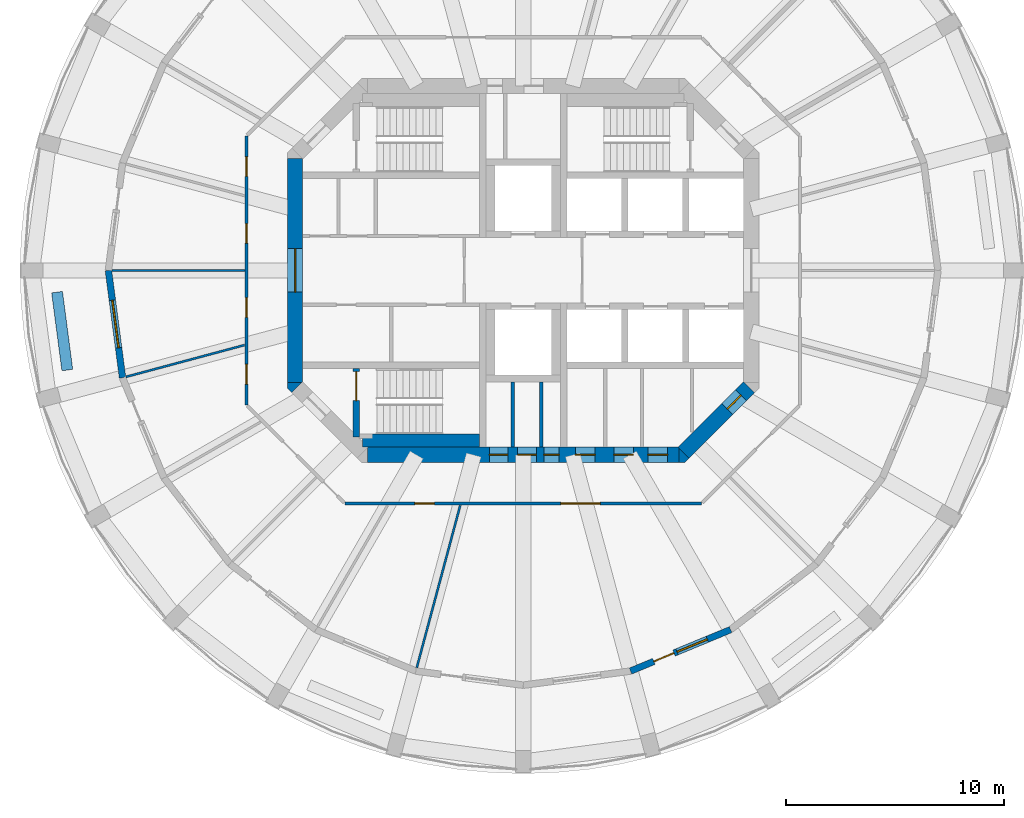
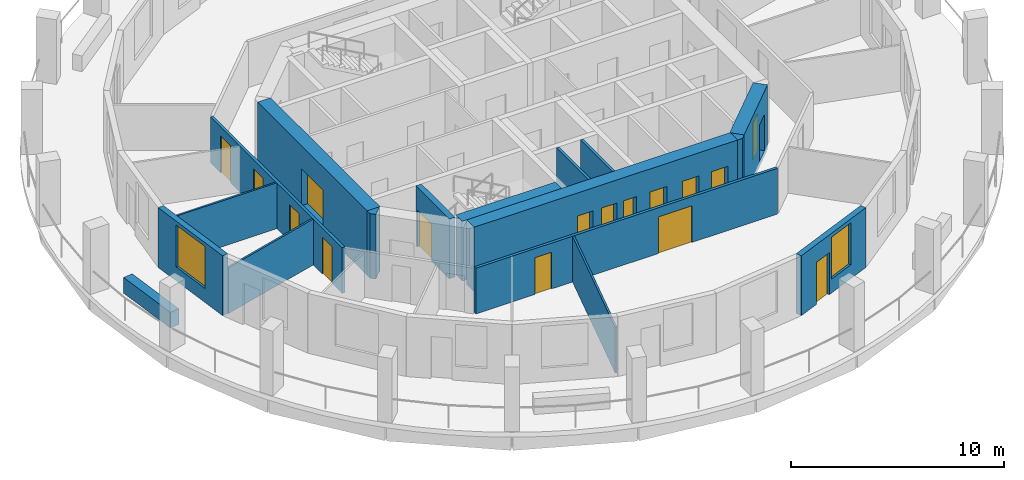
# One storey, part 3 of 9: 17 walls, 16 doors, 2 windows, 18 openings.
"""IFC4 building model written with IfcOpenShell, lengths in metres."""

from ifc_helpers import new_model, si_unit, direction, frame, frame_2d, origin, place, context, subcontext, project, spatial, polyline, rectangle, outline, extrude, material, layer, layer_set, type_object, element, fill, save


model = new_model("IFC4")

# Units and contexts
model_context = context("Model", 3, precision=1e-05, world=origin(), true_north=direction((0.0, 1.0)))
body_context = subcontext(model_context, "Body", "Model", "MODEL_VIEW")
ifc_project = project(units=[si_unit("LENGTHUNIT", "METRE"), si_unit("AREAUNIT", "SQUARE_METRE"), si_unit("VOLUMEUNIT", "CUBIC_METRE"), si_unit("PLANEANGLEUNIT", "RADIAN"), si_unit("MASSUNIT", "GRAM", prefix="KILO")], contexts=[model_context])

# Site, building, storey
site_placement = place(None, origin())
site = spatial("IfcSite", under=ifc_project, at=site_placement, CompositionType="ELEMENT")
building_placement = place(site_placement, origin())
building = spatial("IfcBuilding", under=site, at=building_placement, Name="Torre Triforio", CompositionType="ELEMENT")
storey_placement = place(building_placement, frame((0.0, 0.0, 172.699951171875)))
storey = spatial("IfcBuildingStorey", under=building, at=storey_placement, Name="L39", CompositionType="ELEMENT", Elevation=172.699951171875)

# Wall, openings, doors
ifc_material_1 = material(Name="Concrete C50", Category="concrete")
ifc_layer_1 = layer(ifc_material_1, 0.699951171875)
ifc_layer_set_1 = layer_set([ifc_layer_1], Name="Concrete C50")
wall_type_1 = type_object("IfcWallType", Name="Core wall 700 mm C50 EI 120", PredefinedType="SHEAR", material=ifc_layer_set_1)
wall_1_placement = place(storey_placement, frame((-7.1298828125, -8.449951171875, -0.280029296875), z_axis=(0.0, 0.0, 1.0), x_axis=(1.0, 0.0, 0.0)))
wall_1 = element("IfcWall", 1, at=wall_1_placement, inside=storey, type_object=wall_type_1, Name="Core wall", PredefinedType="SHEAR", context=body_context, shape_type="SweptSolid", body=[
    extrude(rectangle(XDim=14.259765625, YDim=0.699951171875, at=frame_2d((7.1298828125, 0.0))), origin(), (0.0, 0.0, 1.0), 3.7001953125),
])
opening_1_placement = place(wall_1_placement, frame((8.080078125, 0.0, 0.280029296875)))
opening_1 = element("IfcOpeningElement", 2, at=opening_1_placement, cuts=wall_1, Name="Opening RISER-S", PredefinedType="OPENING", context=body_context, shape_type="SweptSolid", body=[
    extrude(rectangle(XDim=0.699951171875, YDim=2.10009765625, at=frame_2d((0.35009765625, 1.050048828125))), frame((0.0, 0.35986328125, 0.0), z_axis=(0.0, -1.0, 0.0), x_axis=(1.0, 0.0, 0.0)), (0.0, 0.0, 1.0), 0.719970703125),
])
opening_2_placement = place(wall_1_placement, frame((5.580078125, 0.0, 0.280029296875)))
opening_2 = element("IfcOpeningElement", 3, at=opening_2_placement, cuts=wall_1, Name="Opening SW-01A", PredefinedType="OPENING", context=body_context, shape_type="SweptSolid", body=[
    extrude(rectangle(XDim=0.85009765625, YDim=2.10009765625, at=frame_2d((0.425048828125, 1.050048828125))), frame((0.0, 0.35986328125, 0.0), z_axis=(0.0, -1.0, 0.0), x_axis=(1.0, 0.0, 0.0)), (0.0, 0.0, 1.0), 0.719970703125),
])
opening_3_placement = place(wall_1_placement, frame((6.8798828125, 0.0, 0.280029296875)))
opening_3 = element("IfcOpeningElement", 4, at=opening_3_placement, cuts=wall_1, Name="Opening SW-02", PredefinedType="OPENING", context=body_context, shape_type="SweptSolid", body=[
    extrude(rectangle(XDim=0.85009765625, YDim=2.10009765625, at=frame_2d((0.425048828125, 1.050048828125))), frame((0.0, 0.35986328125, 0.0), z_axis=(0.0, -1.0, 0.0), x_axis=(1.0, 0.0, 0.0)), (0.0, 0.0, 1.0), 0.719970703125),
])
opening_4_placement = place(wall_1_placement, frame((9.521484375, 0.0, 0.280029296875)))
opening_4 = element("IfcOpeningElement", 5, at=opening_4_placement, cuts=wall_1, Name="Opening SE-01", PredefinedType="OPENING", context=body_context, shape_type="SweptSolid", body=[
    extrude(rectangle(XDim=0.89990234375, YDim=2.10009765625, at=frame_2d((0.449951171875, 1.050048828125))), frame((0.0, 0.35986328125, 0.0), z_axis=(0.0, -1.0, 0.0), x_axis=(1.0, 0.0, 0.0)), (0.0, 0.0, 1.0), 0.719970703125),
])
opening_5_placement = place(wall_1_placement, frame((11.278076171875, 0.0, 0.280029296875)))
opening_5 = element("IfcOpeningElement", 6, at=opening_5_placement, cuts=wall_1, Name="Opening SE-02", PredefinedType="OPENING", context=body_context, shape_type="SweptSolid", body=[
    extrude(rectangle(XDim=0.89990234375, YDim=2.10009765625, at=frame_2d((0.449951171875, 1.050048828125))), frame((0.0, 0.35986328125, 0.0), z_axis=(0.0, -1.0, 0.0), x_axis=(1.0, 0.0, 0.0)), (0.0, 0.0, 1.0), 0.719970703125),
])
opening_6_placement = place(wall_1_placement, frame((12.840087890625, 0.0, 0.280029296875)))
opening_6 = element("IfcOpeningElement", 7, at=opening_6_placement, cuts=wall_1, Name="Opening SE-03", PredefinedType="OPENING", context=body_context, shape_type="SweptSolid", body=[
    extrude(rectangle(XDim=0.89990234375, YDim=2.10009765625, at=frame_2d((0.449951171875, 1.050048828125))), frame((0.0, 0.35986328125, 0.0), z_axis=(0.0, -1.0, 0.0), x_axis=(1.0, 0.0, 0.0)), (0.0, 0.0, 1.0), 0.719970703125),
])
ifc_material_2 = material(Name="Hollow metal fire door leaf")
door_type_1 = type_object("IfcDoorType", Name="Plant room door 900 x 2100 EI 60", OperationType="NOTDEFINED", PredefinedType="DOOR", material=ifc_material_2)
door_1_placement = place(opening_4_placement, origin())
door_1 = element("IfcDoor", 8, at=door_1_placement, inside=storey, type_object=door_type_1, Name="Core door SE-01", OperationType="SINGLE_SWING_LEFT", OverallHeight=2.10009765625, OverallWidth=0.89990234375, PredefinedType="DOOR", context=body_context, shape_type="SweptSolid", body=[
    extrude(rectangle(XDim=0.89990234375, YDim=2.10009765625, at=frame_2d((0.449951171875, 1.050048828125))), frame((0.0, 0.02490234375, 0.0), z_axis=(0.0, -1.0, 0.0), x_axis=(1.0, 0.0, 0.0)), (0.0, 0.0, 1.0), 0.050048828125),
])
fill(opening_4, door_1)
door_type_2 = type_object("IfcDoorType", Name="Riser door 700 x 2100 EI 60", OperationType="NOTDEFINED", PredefinedType="DOOR", material=ifc_material_2)
door_2_placement = place(opening_1_placement, origin())
door_2 = element("IfcDoor", 9, at=door_2_placement, inside=storey, type_object=door_type_2, Name="Core door RISER-S", OperationType="SINGLE_SWING_RIGHT", OverallHeight=2.10009765625, OverallWidth=0.699951171875, PredefinedType="DOOR", context=body_context, shape_type="SweptSolid", body=[
    extrude(rectangle(XDim=0.699951171875, YDim=2.10009765625, at=frame_2d((0.35009765625, 1.050048828125))), frame((0.0, 0.02490234375, 0.0), z_axis=(0.0, -1.0, 0.0), x_axis=(1.0, 0.0, 0.0)), (0.0, 0.0, 1.0), 0.050048828125),
])
fill(opening_1, door_2)
door_type_3 = type_object("IfcDoorType", Name="Room door 850 x 2100 EI 60", OperationType="NOTDEFINED", PredefinedType="DOOR", material=ifc_material_2)
door_3_placement = place(opening_2_placement, origin())
door_3 = element("IfcDoor", 10, at=door_3_placement, inside=storey, type_object=door_type_3, Name="Core door SW-01", OperationType="SINGLE_SWING_RIGHT", OverallHeight=2.10009765625, OverallWidth=0.85009765625, PredefinedType="DOOR", context=body_context, shape_type="SweptSolid", body=[
    extrude(rectangle(XDim=0.85009765625, YDim=2.10009765625, at=frame_2d((0.425048828125, 1.050048828125))), frame((0.0, 0.02490234375, 0.0), z_axis=(0.0, -1.0, 0.0), x_axis=(1.0, 0.0, 0.0)), (0.0, 0.0, 1.0), 0.050048828125),
])
fill(opening_2, door_3)
door_4_placement = place(opening_3_placement, origin())
door_4 = element("IfcDoor", 11, at=door_4_placement, inside=storey, type_object=door_type_3, Name="Core door SW-02", OperationType="SINGLE_SWING_LEFT", OverallHeight=2.10009765625, OverallWidth=0.85009765625, PredefinedType="DOOR", context=body_context, shape_type="SweptSolid", body=[
    extrude(rectangle(XDim=0.85009765625, YDim=2.10009765625, at=frame_2d((0.425048828125, 1.050048828125))), frame((0.0, 0.02490234375, 0.0), z_axis=(0.0, -1.0, 0.0), x_axis=(1.0, 0.0, 0.0)), (0.0, 0.0, 1.0), 0.050048828125),
])
fill(opening_3, door_4)
door_type_4 = type_object("IfcDoorType", Name="Room door 900 x 2100 EI 60", OperationType="NOTDEFINED", PredefinedType="DOOR", material=ifc_material_2)
door_5_placement = place(opening_5_placement, origin())
door_5 = element("IfcDoor", 12, at=door_5_placement, inside=storey, type_object=door_type_4, Name="Core door SE-02", OperationType="SINGLE_SWING_LEFT", OverallHeight=2.10009765625, OverallWidth=0.89990234375, PredefinedType="DOOR", context=body_context, shape_type="SweptSolid", body=[
    extrude(rectangle(XDim=0.89990234375, YDim=2.10009765625, at=frame_2d((0.449951171875, 1.050048828125))), frame((0.0, 0.02490234375, 0.0), z_axis=(0.0, -1.0, 0.0), x_axis=(1.0, 0.0, 0.0)), (0.0, 0.0, 1.0), 0.050048828125),
])
fill(opening_5, door_5)
door_6_placement = place(opening_6_placement, origin())
door_6 = element("IfcDoor", 13, at=door_6_placement, inside=storey, type_object=door_type_4, Name="Core door SE-03", OperationType="SINGLE_SWING_LEFT", OverallHeight=2.10009765625, OverallWidth=0.89990234375, PredefinedType="DOOR", context=body_context, shape_type="SweptSolid", body=[
    extrude(rectangle(XDim=0.89990234375, YDim=2.10009765625, at=frame_2d((0.449951171875, 1.050048828125))), frame((0.0, 0.02490234375, 0.0), z_axis=(0.0, -1.0, 0.0), x_axis=(1.0, 0.0, 0.0)), (0.0, 0.0, 1.0), 0.050048828125),
])
fill(opening_6, door_6)

# Wall, opening, door
wall_2_placement = place(storey_placement, frame((-10.449951171875, -5.1298828125, -0.280029296875), z_axis=(0.0, 0.0, 1.0), x_axis=(0.0, 1.0, 0.0)))
wall_2 = element("IfcWall", 14, at=wall_2_placement, inside=storey, type_object=wall_type_1, Name="Core wall", PredefinedType="SHEAR", context=body_context, shape_type="SweptSolid", body=[
    extrude(rectangle(XDim=10.259765625, YDim=0.699951171875, at=frame_2d((5.1298828125, 0.0))), origin(), (0.0, 0.0, 1.0), 3.7001953125),
])
opening_7_placement = place(wall_2_placement, frame((4.1298828125, 0.0, 0.280029296875)))
opening_7 = element("IfcOpeningElement", 15, at=opening_7_placement, cuts=wall_2, Name="Opening W-RING", PredefinedType="OPENING", context=body_context, shape_type="SweptSolid", body=[
    extrude(rectangle(XDim=2.0, YDim=2.10009765625, at=frame_2d((1.0, 1.050048828125))), frame((0.0, 0.35986328125, 0.0), z_axis=(0.0, -1.0, 0.0), x_axis=(1.0, 0.0, 0.0)), (0.0, 0.0, 1.0), 0.719970703125),
])
door_type_5 = type_object("IfcDoorType", Name="Lobby door 2000 x 2100 EI 60", OperationType="DOUBLE_DOOR_SINGLE_SWING", PredefinedType="DOOR", material=ifc_material_2)
door_7_placement = place(opening_7_placement, origin())
door_7 = element("IfcDoor", 16, at=door_7_placement, inside=storey, type_object=door_type_5, Name="Core door W-RING", OperationType="DOUBLE_DOOR_SINGLE_SWING", OverallHeight=2.10009765625, OverallWidth=2.0, PredefinedType="DOOR", context=body_context, shape_type="SweptSolid", body=[
    extrude(rectangle(XDim=2.0, YDim=2.10009765625, at=frame_2d((1.0, 1.050048828125))), frame((0.0, 0.02490234375, 0.0), z_axis=(0.0, -1.0, 0.0), x_axis=(1.0, 0.0, 0.0)), (0.0, 0.0, 1.0), 0.050048828125),
])
fill(opening_7, door_7)

wall_3_placement = place(storey_placement, frame((10.347412109375, -5.347412109375, -0.280029296875), z_axis=(0.0, 0.0, 1.0), x_axis=(-0.707106781187, -0.707106781187, 0.0)))
wall_3 = element("IfcWall", 17, at=wall_3_placement, inside=storey, type_object=wall_type_1, Name="Core wall", PredefinedType="SHEAR", context=body_context, shape_type="SweptSolid", body=[
    extrude(rectangle(XDim=4.24267578125, YDim=0.699951171875, at=frame_2d((2.121337890625, 0.0))), origin(), (0.0, 0.0, 1.0), 3.7001953125),
])
opening_8_placement = place(wall_3_placement, frame((0.52001953125, 0.0, 0.280029296875)))
opening_8 = element("IfcOpeningElement", 18, at=opening_8_placement, cuts=wall_3, Name="Opening SE-04", PredefinedType="OPENING", context=body_context, shape_type="SweptSolid", body=[
    extrude(rectangle(XDim=0.89990234375, YDim=2.10009765625, at=frame_2d((0.449951171875, 1.050048828125))), frame((0.0, 0.35986328125, 0.0), z_axis=(0.0, -1.0, 0.0), x_axis=(1.0, 0.0, 0.0)), (0.0, 0.0, 1.0), 0.719970703125),
])
door_8_placement = place(opening_8_placement, origin())
door_8 = element("IfcDoor", 19, at=door_8_placement, inside=storey, type_object=door_type_4, Name="Core door SE-04", OperationType="SINGLE_SWING_RIGHT", OverallHeight=2.10009765625, OverallWidth=0.89990234375, PredefinedType="DOOR", context=body_context, shape_type="SweptSolid", body=[
    extrude(rectangle(XDim=0.89990234375, YDim=2.10009765625, at=frame_2d((0.449951171875, 1.050048828125))), frame((0.0, 0.02490234375, 0.0), z_axis=(0.0, -1.0, 0.0), x_axis=(1.0, 0.0, 0.0)), (0.0, 0.0, 1.0), 0.050048828125),
])
fill(opening_8, door_8)

# Walls
wall_4_placement = place(storey_placement, frame((0.0, 0.0, -0.280029296875)))
element("IfcWall", 20, at=wall_4_placement, inside=storey, type_object=wall_type_1, Name="Core wall", PredefinedType="SHEAR", context=body_context, shape_type="SweptSolid", body=[
    extrude(outline(polyline([(7.389892578125, -8.800048828125), (7.1298828125, -8.800048828125), (7.1298828125, -8.800048828125), (7.1298828125, -8.1298828125), (7.594970703125, -8.594970703125), (7.594970703125, -8.594970703125), (7.594970703125, -8.594970703125), (7.389892578125, -8.800048828125)])), origin(), (0.0, 0.0, 1.0), 3.7001953125),
])
wall_5_placement = place(storey_placement, frame((0.0, 0.0, -0.280029296875)))
element("IfcWall", 21, at=wall_5_placement, inside=storey, type_object=wall_type_1, Name="Core wall", PredefinedType="SHEAR", context=body_context, shape_type="SweptSolid", body=[
    extrude(outline(polyline([(-10.800048828125, -5.389892578125), (-10.800048828125, -5.1298828125), (-10.800048828125, -5.1298828125), (-10.1298828125, -5.1298828125), (-10.594970703125, -5.594970703125), (-10.594970703125, -5.594970703125), (-10.594970703125, -5.594970703125), (-10.800048828125, -5.389892578125)])), origin(), (0.0, 0.0, 1.0), 3.7001953125),
])

# Wall, openings, doors
ifc_material_3 = material(Name="Plasterboard on metal studs")
ifc_layer_2 = layer(ifc_material_3, 0.14990234375)
ifc_layer_set_2 = layer_set([ifc_layer_2], Name="Plasterboard on metal studs")
wall_type_2 = type_object("IfcWallType", Name="Corridor and tenancy wall 150 mm EI 60", PredefinedType="PARTITIONING", material=ifc_layer_set_2)
wall_6_placement = place(storey_placement, frame((8.16650390625, -10.675048828125, 0.0), z_axis=(0.0, 0.0, 1.0), x_axis=(-1.0, 0.0, 0.0)))
wall_6 = element("IfcWall", 22, at=wall_6_placement, inside=storey, type_object=wall_type_2, Name="Partition 2", PredefinedType="PARTITIONING", context=body_context, shape_type="SweptSolid", body=[
    extrude(rectangle(XDim=16.3330078125, YDim=0.14990234375, at=frame_2d((8.16650390625, 0.0))), origin(), (0.0, 0.0, 1.0), 2.6201171875),
])
opening_9_placement = place(wall_6_placement, frame((12.232421875, 0.0, 0.0)))
opening_9 = element("IfcOpeningElement", 23, at=opening_9_placement, cuts=wall_6, Name="Opening O2-08", PredefinedType="OPENING", context=body_context, shape_type="SweptSolid", body=[
    extrude(rectangle(XDim=0.89990234375, YDim=2.10009765625, at=frame_2d((0.449951171875, 1.050048828125))), frame((0.0, 0.0849609375, 0.0), z_axis=(0.0, -1.0, 0.0), x_axis=(1.0, 0.0, 0.0)), (0.0, 0.0, 1.0), 0.169921875),
])
opening_10_placement = place(wall_6_placement, frame((4.639404296875, 0.0, 0.0)))
opening_10 = element("IfcOpeningElement", 24, at=opening_10_placement, cuts=wall_6, Name="Opening O2-09", PredefinedType="OPENING", context=body_context, shape_type="SweptSolid", body=[
    extrude(rectangle(XDim=1.800048828125, YDim=2.10009765625, at=frame_2d((0.89990234375, 1.050048828125))), frame((0.0, 0.0849609375, 0.0), z_axis=(0.0, -1.0, 0.0), x_axis=(1.0, 0.0, 0.0)), (0.0, 0.0, 1.0), 0.169921875),
])
ifc_material_4 = material(Name="Timber", Category="wood")
door_type_6 = type_object("IfcDoorType", Name="Door 1800 x 2100 double leaf EI 30", OperationType="DOUBLE_DOOR_SINGLE_SWING", PredefinedType="DOOR", material=ifc_material_4)
door_9_placement = place(opening_10_placement, origin())
door_9 = element("IfcDoor", 25, at=door_9_placement, inside=storey, type_object=door_type_6, Name="Door O2-09", OperationType="DOUBLE_DOOR_SINGLE_SWING", OverallHeight=2.10009765625, OverallWidth=1.800048828125, PredefinedType="DOOR", context=body_context, shape_type="SweptSolid", body=[
    extrude(rectangle(XDim=1.800048828125, YDim=2.10009765625, at=frame_2d((0.89990234375, 1.050048828125))), frame((0.0, 0.02490234375, 0.0), z_axis=(0.0, -1.0, 0.0), x_axis=(1.0, 0.0, 0.0)), (0.0, 0.0, 1.0), 0.050048828125),
])
fill(opening_10, door_9)
door_type_7 = type_object("IfcDoorType", Name="Door 900 x 2100 single leaf EI 30", OperationType="NOTDEFINED", PredefinedType="DOOR", material=ifc_material_4)
door_10_placement = place(opening_9_placement, origin())
door_10 = element("IfcDoor", 26, at=door_10_placement, inside=storey, type_object=door_type_7, Name="Door O2-08", OperationType="SINGLE_SWING_LEFT", OverallHeight=2.10009765625, OverallWidth=0.89990234375, PredefinedType="DOOR", context=body_context, shape_type="SweptSolid", body=[
    extrude(rectangle(XDim=0.89990234375, YDim=2.10009765625, at=frame_2d((0.449951171875, 1.050048828125))), frame((0.0, 0.02490234375, 0.0), z_axis=(0.0, -1.0, 0.0), x_axis=(1.0, 0.0, 0.0)), (0.0, 0.0, 1.0), 0.050048828125),
])
fill(opening_9, door_10)

wall_7_placement = place(storey_placement, frame((-12.675048828125, -6.16650390625, 0.0), z_axis=(0.0, 0.0, 1.0), x_axis=(0.0, 1.0, 0.0)))
wall_7 = element("IfcWall", 27, at=wall_7_placement, inside=storey, type_object=wall_type_2, Name="Partition 4", PredefinedType="PARTITIONING", context=body_context, shape_type="SweptSolid", body=[
    extrude(rectangle(XDim=12.3330078125, YDim=0.14990234375, at=frame_2d((6.16650390625, 0.0))), origin(), (0.0, 0.0, 1.0), 2.6201171875),
])
opening_11_placement = place(wall_7_placement, frame((10.47314453125, 0.0, 0.0)))
opening_11 = element("IfcOpeningElement", 28, at=opening_11_placement, cuts=wall_7, Name="Opening O2-02", PredefinedType="OPENING", context=body_context, shape_type="SweptSolid", body=[
    extrude(rectangle(XDim=0.89990234375, YDim=2.10009765625, at=frame_2d((0.449951171875, 1.050048828125))), frame((0.0, 0.0849609375, 0.0), z_axis=(0.0, -1.0, 0.0), x_axis=(1.0, 0.0, 0.0)), (0.0, 0.0, 1.0), 0.169921875),
])
opening_12_placement = place(wall_7_placement, frame((7.41552734375, 0.0, 0.0)))
opening_12 = element("IfcOpeningElement", 29, at=opening_12_placement, cuts=wall_7, Name="Opening O2-03", PredefinedType="OPENING", context=body_context, shape_type="SweptSolid", body=[
    extrude(rectangle(XDim=0.89990234375, YDim=2.10009765625, at=frame_2d((0.449951171875, 1.050048828125))), frame((0.0, 0.0849609375, 0.0), z_axis=(0.0, -1.0, 0.0), x_axis=(1.0, 0.0, 0.0)), (0.0, 0.0, 1.0), 0.169921875),
])
opening_13_placement = place(wall_7_placement, frame((4.017578125, 0.0, 0.0)))
opening_13 = element("IfcOpeningElement", 30, at=opening_13_placement, cuts=wall_7, Name="Opening O2-04", PredefinedType="OPENING", context=body_context, shape_type="SweptSolid", body=[
    extrude(rectangle(XDim=0.89990234375, YDim=2.10009765625, at=frame_2d((0.449951171875, 1.050048828125))), frame((0.0, 0.0849609375, 0.0), z_axis=(0.0, -1.0, 0.0), x_axis=(1.0, 0.0, 0.0)), (0.0, 0.0, 1.0), 0.169921875),
])
opening_14_placement = place(wall_7_placement, frame((0.960205078125, 0.0, 0.0)))
opening_14 = element("IfcOpeningElement", 31, at=opening_14_placement, cuts=wall_7, Name="Opening O2-05", PredefinedType="OPENING", context=body_context, shape_type="SweptSolid", body=[
    extrude(rectangle(XDim=0.89990234375, YDim=2.10009765625, at=frame_2d((0.449951171875, 1.050048828125))), frame((0.0, 0.0849609375, 0.0), z_axis=(0.0, -1.0, 0.0), x_axis=(1.0, 0.0, 0.0)), (0.0, 0.0, 1.0), 0.169921875),
])
door_11_placement = place(opening_11_placement, origin())
door_11 = element("IfcDoor", 32, at=door_11_placement, inside=storey, type_object=door_type_7, Name="Door O2-02", OperationType="SINGLE_SWING_LEFT", OverallHeight=2.10009765625, OverallWidth=0.89990234375, PredefinedType="DOOR", context=body_context, shape_type="SweptSolid", body=[
    extrude(rectangle(XDim=0.89990234375, YDim=2.10009765625, at=frame_2d((0.449951171875, 1.050048828125))), frame((0.0, 0.02490234375, 0.0), z_axis=(0.0, -1.0, 0.0), x_axis=(1.0, 0.0, 0.0)), (0.0, 0.0, 1.0), 0.050048828125),
])
fill(opening_11, door_11)
door_12_placement = place(opening_12_placement, origin())
door_12 = element("IfcDoor", 33, at=door_12_placement, inside=storey, type_object=door_type_7, Name="Door O2-03", OperationType="SINGLE_SWING_LEFT", OverallHeight=2.10009765625, OverallWidth=0.89990234375, PredefinedType="DOOR", context=body_context, shape_type="SweptSolid", body=[
    extrude(rectangle(XDim=0.89990234375, YDim=2.10009765625, at=frame_2d((0.449951171875, 1.050048828125))), frame((0.0, 0.02490234375, 0.0), z_axis=(0.0, -1.0, 0.0), x_axis=(1.0, 0.0, 0.0)), (0.0, 0.0, 1.0), 0.050048828125),
])
fill(opening_12, door_12)
door_13_placement = place(opening_13_placement, origin())
door_13 = element("IfcDoor", 34, at=door_13_placement, inside=storey, type_object=door_type_7, Name="Door O2-04", OperationType="SINGLE_SWING_LEFT", OverallHeight=2.10009765625, OverallWidth=0.89990234375, PredefinedType="DOOR", context=body_context, shape_type="SweptSolid", body=[
    extrude(rectangle(XDim=0.89990234375, YDim=2.10009765625, at=frame_2d((0.449951171875, 1.050048828125))), frame((0.0, 0.02490234375, 0.0), z_axis=(0.0, -1.0, 0.0), x_axis=(1.0, 0.0, 0.0)), (0.0, 0.0, 1.0), 0.050048828125),
])
fill(opening_13, door_13)
door_14_placement = place(opening_14_placement, origin())
door_14 = element("IfcDoor", 35, at=door_14_placement, inside=storey, type_object=door_type_7, Name="Door O2-05", OperationType="SINGLE_SWING_LEFT", OverallHeight=2.10009765625, OverallWidth=0.89990234375, PredefinedType="DOOR", context=body_context, shape_type="SweptSolid", body=[
    extrude(rectangle(XDim=0.89990234375, YDim=2.10009765625, at=frame_2d((0.449951171875, 1.050048828125))), frame((0.0, 0.02490234375, 0.0), z_axis=(0.0, -1.0, 0.0), x_axis=(1.0, 0.0, 0.0)), (0.0, 0.0, 1.0), 0.050048828125),
])
fill(opening_14, door_14)

# Walls
ifc_layer_3 = layer(ifc_material_3, 0.10009765625)
ifc_layer_set_3 = layer_set([ifc_layer_3], Name="Plasterboard on metal studs")
wall_type_3 = type_object("IfcWallType", Name="Partition 100 mm board on metal studs", PredefinedType="PARTITIONING", material=ifc_layer_set_3)
wall_8_placement = place(storey_placement, frame((-12.75, 0.0, 0.0), z_axis=(0.0, 0.0, 1.0), x_axis=(-1.0, 0.0, 0.0)))
element("IfcWall", 36, at=wall_8_placement, inside=storey, type_object=wall_type_3, Name="Partition 19", PredefinedType="PARTITIONING", context=body_context, shape_type="SweptSolid", body=[
    extrude(rectangle(XDim=6.086669921875, YDim=0.10009765625, at=frame_2d((3.04345703125, 0.0))), origin(), (0.0, 0.0, 1.0), 2.6201171875),
])
wall_9_placement = place(storey_placement, frame((-12.764404296875, -3.420166015625, 0.0), z_axis=(0.0, 0.0, 1.0), x_axis=(-0.965925759926, -0.258819292773, 0.0)))
element("IfcWall", 37, at=wall_9_placement, inside=storey, type_object=wall_type_3, Name="Partition 20", PredefinedType="PARTITIONING", context=body_context, shape_type="SweptSolid", body=[
    extrude(rectangle(XDim=5.6220703125, YDim=0.10009765625, at=frame_2d((2.81103515625, 0.0))), origin(), (0.0, 0.0, 1.0), 2.6201171875),
])
wall_10_placement = place(storey_placement, frame((-2.88427734375, -10.764404296875, 0.0), z_axis=(0.0, 0.0, 1.0), x_axis=(-0.25881804804, -0.965926093451, 0.0)))
element("IfcWall", 38, at=wall_10_placement, inside=storey, type_object=wall_type_3, Name="Partition 24", PredefinedType="PARTITIONING", context=body_context, shape_type="SweptSolid", body=[
    extrude(rectangle(XDim=7.692626953125, YDim=0.10009765625, at=frame_2d((3.84619140625, 0.0))), origin(), (0.0, 0.0, 1.0), 2.6201171875),
])
ifc_material_5 = material(Name="Block and board partition")
ifc_layer_4 = layer(ifc_material_5, 0.14990234375)
ifc_layer_set_4 = layer_set([ifc_layer_4], Name="Block and board partition")
wall_type_4 = type_object("IfcWallType", Name="Partition 150 mm", PredefinedType="PARTITIONING", material=ifc_layer_set_4)
wall_11_placement = place(storey_placement, frame((-0.47509765625, -8.10009765625, 0.0), z_axis=(0.0, 0.0, 1.0), x_axis=(0.0, 1.0, 0.0)))
element("IfcWall", 39, at=wall_11_placement, inside=storey, type_object=wall_type_4, Name="Partition", PredefinedType="PARTITIONING", context=body_context, shape_type="SweptSolid", body=[
    extrude(rectangle(XDim=3.0, YDim=0.14990234375, at=frame_2d((1.5, 0.0))), origin(), (0.0, 0.0, 1.0), 3.420166015625),
])
ifc_layer_5 = layer(ifc_material_5, 0.14990234375)
ifc_layer_set_5 = layer_set([ifc_layer_5], Name="Block and board partition")
wall_type_5 = type_object("IfcWallType", Name="Partition 150 mm EI 120", PredefinedType="PARTITIONING", material=ifc_layer_set_5)
wall_12_placement = place(storey_placement, frame((0.824951171875, -8.10009765625, 0.0), z_axis=(0.0, 0.0, 1.0), x_axis=(0.0, 1.0, 0.0)))
element("IfcWall", 40, at=wall_12_placement, inside=storey, type_object=wall_type_5, Name="Partition", PredefinedType="PARTITIONING", context=body_context, shape_type="SweptSolid", body=[
    extrude(rectangle(XDim=3.0, YDim=0.14990234375, at=frame_2d((1.5, 0.0))), origin(), (0.0, 0.0, 1.0), 3.420166015625),
])
ifc_material_6 = material(Name="Limestone cladding", Category="masonry")
ifc_layer_6 = layer(ifc_material_6, 0.10009765625)
ifc_material_7 = material(Name="Concrete C40", Category="concrete")
ifc_layer_7 = layer(ifc_material_7, 0.39990234375)
ifc_layer_set_6 = layer_set([ifc_layer_6, ifc_layer_7], Name="Limestone cladding / Concrete C40")
wall_type_6 = type_object("IfcWallType", Name="Planter wall 500", PredefinedType="PARAPET", material=ifc_layer_set_6)
wall_13_placement = place(storey_placement, frame((-21.352783203125, -0.99560546875, 0.0), z_axis=(0.0, 0.0, 1.0), x_axis=(0.130551000099, -0.991441595039, 0.0)))
element("IfcWall", 41, at=wall_13_placement, inside=storey, type_object=wall_type_6, Name="Planter L39 bay 13", PredefinedType="PARAPET", context=body_context, shape_type="SweptSolid", body=[
    extrude(rectangle(XDim=3.599853515625, YDim=0.5, at=frame_2d((1.7998046875, 0.0))), origin(), (0.0, 0.0, 1.0), 0.900146484375),
])

# Wall, opening, door
ifc_layer_8 = layer(ifc_material_1, 0.300048828125)
ifc_layer_set_7 = layer_set([ifc_layer_8], Name="Concrete C50")
wall_type_7 = type_object("IfcWallType", Name="Stair wall 300 mm C50 EI 120", PredefinedType="SHEAR", material=ifc_layer_set_7)
wall_14_placement = place(storey_placement, frame((-7.64990234375, -7.639892578125, 0.0), z_axis=(0.0, 0.0, 1.0), x_axis=(0.0, 1.0, 0.0)))
wall_14 = element("IfcWall", 42, at=wall_14_placement, inside=storey, type_object=wall_type_7, Name="Stair wall", PredefinedType="SHEAR", context=body_context, shape_type="SweptSolid", body=[
    extrude(rectangle(XDim=3.139892578125, YDim=0.300048828125, at=frame_2d((1.56982421875, 0.0))), origin(), (0.0, 0.0, 1.0), 3.420166015625),
])
opening_15_placement = place(wall_14_placement, frame((1.679931640625, 0.0, 0.0)))
opening_15 = element("IfcOpeningElement", 43, at=opening_15_placement, cuts=wall_14, Name="Opening ST3-STA", PredefinedType="OPENING", context=body_context, shape_type="SweptSolid", body=[
    extrude(rectangle(XDim=1.320068359375, YDim=2.10009765625, at=frame_2d((0.66015625, 1.050048828125))), frame((0.0, 0.159912109375, 0.0), z_axis=(0.0, -1.0, 0.0), x_axis=(1.0, 0.0, 0.0)), (0.0, 0.0, 1.0), 0.320068359375),
])
door_type_8 = type_object("IfcDoorType", Name="Stair door 1320 x 2100 EI 90", OperationType="DOUBLE_DOOR_SINGLE_SWING", PredefinedType="DOOR", material=ifc_material_2)
door_15_placement = place(opening_15_placement, origin())
door_15 = element("IfcDoor", 44, at=door_15_placement, inside=storey, type_object=door_type_8, Name="Core door ST3-ST", OperationType="DOUBLE_DOOR_SINGLE_SWING", OverallHeight=2.10009765625, OverallWidth=1.320068359375, PredefinedType="DOOR", context=body_context, shape_type="SweptSolid", body=[
    extrude(rectangle(XDim=1.320068359375, YDim=2.10009765625, at=frame_2d((0.66015625, 1.050048828125))), frame((0.0, 0.02490234375, 0.0), z_axis=(0.0, -1.0, 0.0), x_axis=(1.0, 0.0, 0.0)), (0.0, 0.0, 1.0), 0.050048828125),
])
fill(opening_15, door_15)

# Wall
ifc_layer_9 = layer(ifc_material_1, 0.60009765625)
ifc_layer_set_8 = layer_set([ifc_layer_9], Name="Concrete C50")
wall_type_8 = type_object("IfcWallType", Name="Stair wall 600 mm C50 EI 120", PredefinedType="SHEAR", material=ifc_layer_set_8)
wall_15_placement = place(storey_placement, frame((-7.3701171875, -7.800048828125, 0.0), z_axis=(0.0, 0.0, 1.0), x_axis=(1.0, 0.0, 0.0)))
element("IfcWall", 45, at=wall_15_placement, inside=storey, type_object=wall_type_8, Name="Stair wall", PredefinedType="SHEAR", context=body_context, shape_type="SweptSolid", body=[
    extrude(rectangle(XDim=5.3701171875, YDim=0.60009765625, at=frame_2d((2.68505859375, 0.0))), origin(), (0.0, 0.0, 1.0), 3.420166015625),
])

# Wall, opening, window
ifc_layer_10 = layer(ifc_material_6, 0.10009765625)
ifc_layer_11 = layer(ifc_material_7, 0.199951171875)
ifc_layer_set_9 = layer_set([ifc_layer_10, ifc_layer_11], Name="Limestone cladding / Concrete C40")
wall_type_9 = type_object("IfcWallType", Name="Stone-faced composite wall 300", PredefinedType="STANDARD", material=ifc_layer_set_9)
wall_16_placement = place(storey_placement, frame((-19.0, 0.0, 0.0), z_axis=(0.0, 0.0, 1.0), x_axis=(0.130538549191, -0.991443234469, 0.0)))
wall_16 = element("IfcWall", 46, at=wall_16_placement, inside=storey, type_object=wall_type_9, Name="External wall L39 bay 13", PredefinedType="STANDARD", context=body_context, shape_type="SweptSolid", body=[
    extrude(rectangle(XDim=4.9599609375, YDim=0.300048828125, at=frame_2d((2.47998046875, 0.0))), origin(), (0.0, 0.0, 1.0), 3.420166015625),
])
opening_16_placement = place(wall_16_placement, frame((1.3798828125, 0.0, 0.800048828125)))
opening_16 = element("IfcOpeningElement", 47, at=opening_16_placement, cuts=wall_16, Name="Opening O2-W13", PredefinedType="OPENING", context=body_context, shape_type="SweptSolid", body=[
    extrude(rectangle(XDim=2.199951171875, YDim=2.39990234375, at=frame_2d((1.10009765625, 1.199951171875))), frame((0.0, 0.159912109375, 0.0), z_axis=(0.0, -1.0, 0.0), x_axis=(1.0, 0.0, 0.0)), (0.0, 0.0, 1.0), 0.320068359375),
])
ifc_material_8 = material(Name="Aluminium frame with clear double glazing", Category="aluminium")
window_type_1 = type_object("IfcWindowType", Name="Punched window 2200 x 2400", PartitioningType="DOUBLE_PANEL_VERTICAL", PredefinedType="WINDOW", material=ifc_material_8)
window_1_placement = place(opening_16_placement, origin())
window_1 = element("IfcWindow", 48, at=window_1_placement, inside=storey, type_object=window_type_1, Name="Window EWN5 L39 bay 13", OverallHeight=2.39990234375, OverallWidth=2.199951171875, PartitioningType="SINGLE_PANEL", PredefinedType="WINDOW", context=body_context, shape_type="SweptSolid", body=[
    extrude(rectangle(XDim=2.199951171875, YDim=2.39990234375, at=frame_2d((1.10009765625, 1.199951171875))), frame((0.0, 0.030029296875, 0.0), z_axis=(0.0, -1.0, 0.0), x_axis=(1.0, 0.0, 0.0)), (0.0, 0.0, 1.0), 0.06005859375),
])
fill(opening_16, window_1)

# Wall, openings, door, window
wall_17_placement = place(storey_placement, frame((4.91748046875, -18.3525390625, 0.0), z_axis=(0.0, 0.0, 1.0), x_axis=(0.923893254961, 0.382650301762, 0.0)))
wall_17 = element("IfcWall", 49, at=wall_17_placement, inside=storey, type_object=wall_type_9, Name="External wall L39 bay 20", PredefinedType="STANDARD", context=body_context, shape_type="SweptSolid", body=[
    extrude(rectangle(XDim=4.9599609375, YDim=0.300048828125, at=frame_2d((2.47998046875, 0.0))), origin(), (0.0, 0.0, 1.0), 3.420166015625),
])
opening_17_placement = place(wall_17_placement, frame((1.155029296875, 0.0, 0.0)))
opening_17 = element("IfcOpeningElement", 50, at=opening_17_placement, cuts=wall_17, Name="Opening O2-D20", PredefinedType="OPENING", context=body_context, shape_type="SweptSolid", body=[
    extrude(rectangle(XDim=1.0, YDim=2.39990234375, at=frame_2d((0.5, 1.199951171875))), frame((0.0, 0.159912109375, 0.0), z_axis=(0.0, -1.0, 0.0), x_axis=(1.0, 0.0, 0.0)), (0.0, 0.0, 1.0), 0.320068359375),
])
opening_18_placement = place(wall_17_placement, frame((2.304931640625, 0.0, 0.800048828125)))
opening_18 = element("IfcOpeningElement", 51, at=opening_18_placement, cuts=wall_17, Name="Opening O2-W20A", PredefinedType="OPENING", context=body_context, shape_type="SweptSolid", body=[
    extrude(rectangle(XDim=1.5, YDim=2.39990234375, at=frame_2d((0.75, 1.199951171875))), frame((0.0, 0.159912109375, 0.0), z_axis=(0.0, -1.0, 0.0), x_axis=(1.0, 0.0, 0.0)), (0.0, 0.0, 1.0), 0.320068359375),
])
door_type_9 = type_object("IfcDoorType", Name="Loggia door 1000 x 2400", OperationType="NOTDEFINED", PredefinedType="DOOR", material=ifc_material_8)
door_16_placement = place(opening_17_placement, origin())
door_16 = element("IfcDoor", 52, at=door_16_placement, inside=storey, type_object=door_type_9, Name="Loggia door L39 bay 20", OperationType="SINGLE_SWING_LEFT", OverallHeight=2.39990234375, OverallWidth=1.0, PredefinedType="DOOR", context=body_context, shape_type="SweptSolid", body=[
    extrude(rectangle(XDim=1.0, YDim=2.39990234375, at=frame_2d((0.5, 1.199951171875))), frame((0.0, 0.02490234375, 0.0), z_axis=(0.0, -1.0, 0.0), x_axis=(1.0, 0.0, 0.0)), (0.0, 0.0, 1.0), 0.050048828125),
])
fill(opening_17, door_16)
window_type_2 = type_object("IfcWindowType", Name="Side window 1500 x 2400", PartitioningType="SINGLE_PANEL", PredefinedType="WINDOW", material=ifc_material_8)
window_2_placement = place(opening_18_placement, origin())
window_2 = element("IfcWindow", 53, at=window_2_placement, inside=storey, type_object=window_type_2, Name="Side window EWN14 L39 bay 20", OverallHeight=2.39990234375, OverallWidth=1.5, PartitioningType="SINGLE_PANEL", PredefinedType="WINDOW", context=body_context, shape_type="SweptSolid", body=[
    extrude(rectangle(XDim=1.5, YDim=2.39990234375, at=frame_2d((0.75, 1.199951171875))), frame((0.0, 0.030029296875, 0.0), z_axis=(0.0, -1.0, 0.0), x_axis=(1.0, 0.0, 0.0)), (0.0, 0.0, 1.0), 0.06005859375),
])
fill(opening_18, window_2)

save(model, "model.ifc")
